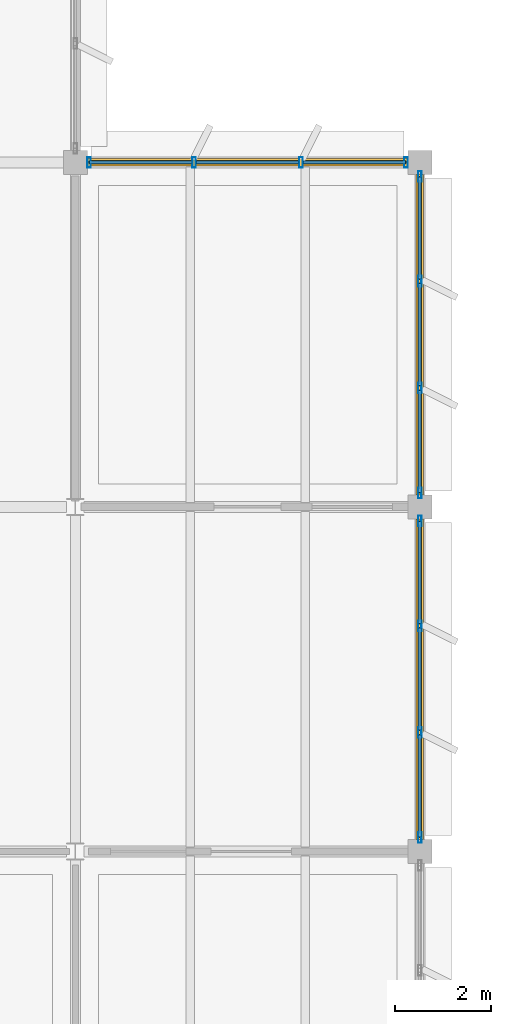
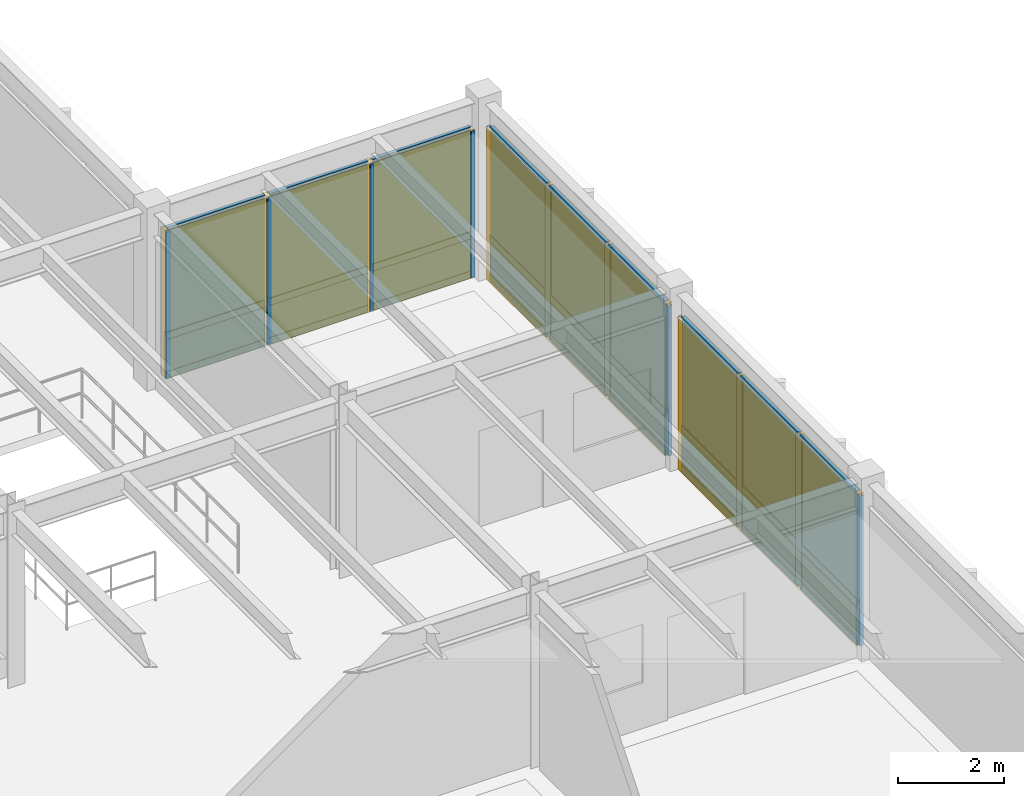
# One storey, part 67 of 85: 39 members, 18 plates, 3 curtain walls.
"""IFC4 building model written with IfcOpenShell, lengths in metres."""

from ifc_helpers import new_model, si_unit, direction, frame, origin, origin_2d, place, context, subcontext, project, spatial, rectangle, hollow_rectangle, extrude, material, layer, layer_set, material_profile, profile_set, type_object, element, aggregate, save


model = new_model("IFC4")

# Units and contexts
model_context = context("Model", 3, precision=1e-05, world=origin(), true_north=direction((0.0, 1.0)))
body_context = subcontext(model_context, "Body", "Model", "MODEL_VIEW")
ifc_project = project(units=[si_unit("LENGTHUNIT", "METRE"), si_unit("AREAUNIT", "SQUARE_METRE"), si_unit("VOLUMEUNIT", "CUBIC_METRE"), si_unit("PLANEANGLEUNIT", "RADIAN"), si_unit("MASSUNIT", "GRAM", prefix="KILO")], contexts=[model_context])

# Member
ifc_material_1 = material(Name="Anodized Aluminium 6063-T6", Category="aluminium")
ifc_material_profile_1 = material_profile(ifc_material_1, hollow_rectangle(XDim=0.074951171875, YDim=0.219970703125, WallThickness=0.0048828125, at=origin_2d()), Name="ALU 75x220x5")
ifc_profile_set_1 = profile_set([ifc_material_profile_1], Name="Anodized Aluminium 6063-T6")
member_type_1 = type_object("IfcMemberType", Name="CWM-75X180", PredefinedType="MULLION", material=ifc_profile_set_1)
site_placement = place(None, origin())
building_placement = place(site_placement, origin())
storey_placement = place(building_placement, frame((0.0, 0.0, 9.89990234375)))
member_1_placement = place(storey_placement, frame((144.0, 50.110107421875, 0.02001953125), z_axis=(0.0, 0.0, 1.0), x_axis=(1.0, 0.0, 0.0)))
member_1 = element("IfcMember", 1, at=member_1_placement, type_object=member_type_1, Name="Curtain wall mullion CW-L03-19-06-E-00", PredefinedType="MULLION", context=body_context, shape_type="SweptSolid", body=[
    extrude(hollow_rectangle(XDim=0.074951171875, YDim=0.219970703125, WallThickness=0.0048828125, at=origin_2d()), origin(), (0.0, 0.0, 1.0), 3.447021484375),
])

member_2_placement = place(storey_placement, frame((144.0, 47.916748046875, 0.02001953125), z_axis=(0.0, 0.0, 1.0), x_axis=(1.0, 0.0, 0.0)))
member_2 = element("IfcMember", 2, at=member_2_placement, type_object=member_type_1, Name="Curtain wall mullion CW-L03-19-06-E-01", PredefinedType="MULLION", context=body_context, shape_type="SweptSolid", body=[
    extrude(hollow_rectangle(XDim=0.074951171875, YDim=0.219970703125, WallThickness=0.0048828125, at=origin_2d()), origin(), (0.0, 0.0, 1.0), 3.447021484375),
])

member_3_placement = place(storey_placement, frame((144.0, 45.683349609375, 0.02001953125), z_axis=(0.0, 0.0, 1.0), x_axis=(1.0, 0.0, 0.0)))
member_3 = element("IfcMember", 3, at=member_3_placement, type_object=member_type_1, Name="Curtain wall mullion CW-L03-19-06-E-02", PredefinedType="MULLION", context=body_context, shape_type="SweptSolid", body=[
    extrude(hollow_rectangle(XDim=0.074951171875, YDim=0.219970703125, WallThickness=0.0048828125, at=origin_2d()), origin(), (0.0, 0.0, 1.0), 3.447021484375),
])

member_4_placement = place(storey_placement, frame((144.0, 43.489990234375, 0.02001953125), z_axis=(0.0, 0.0, 1.0), x_axis=(1.0, 0.0, 0.0)))
member_4 = element("IfcMember", 4, at=member_4_placement, type_object=member_type_1, Name="Curtain wall mullion CW-L03-19-06-E-03", PredefinedType="MULLION", context=body_context, shape_type="SweptSolid", body=[
    extrude(hollow_rectangle(XDim=0.074951171875, YDim=0.219970703125, WallThickness=0.0048828125, at=origin_2d()), origin(), (0.0, 0.0, 1.0), 3.447021484375),
])

member_5_placement = place(storey_placement, frame((137.090087890625, 57.60009765625, 0.02001953125), z_axis=(0.0, 0.0, 1.0), x_axis=(1.0, 0.0, 0.0)))
member_5 = element("IfcMember", 5, at=member_5_placement, type_object=member_type_1, Name="Curtain wall mullion CW-L03-19-07-N-00", PredefinedType="MULLION", context=body_context, shape_type="SweptSolid", body=[
    extrude(hollow_rectangle(XDim=0.074951171875, YDim=0.219970703125, WallThickness=0.0048828125, at=origin_2d()), origin(), (0.0, 0.0, 1.0), 3.3681640625),
])

member_6_placement = place(storey_placement, frame((139.283203125, 57.60009765625, 0.02001953125), z_axis=(0.0, 0.0, 1.0), x_axis=(1.0, 0.0, 0.0)))
member_6 = element("IfcMember", 6, at=member_6_placement, type_object=member_type_1, Name="Curtain wall mullion CW-L03-19-07-N-01", PredefinedType="MULLION", context=body_context, shape_type="SweptSolid", body=[
    extrude(hollow_rectangle(XDim=0.074951171875, YDim=0.219970703125, WallThickness=0.0048828125, at=origin_2d()), origin(), (0.0, 0.0, 1.0), 3.3681640625),
])

member_7_placement = place(storey_placement, frame((141.5166015625, 57.60009765625, 0.02001953125), z_axis=(0.0, 0.0, 1.0), x_axis=(1.0, 0.0, 0.0)))
member_7 = element("IfcMember", 7, at=member_7_placement, type_object=member_type_1, Name="Curtain wall mullion CW-L03-19-07-N-02", PredefinedType="MULLION", context=body_context, shape_type="SweptSolid", body=[
    extrude(hollow_rectangle(XDim=0.074951171875, YDim=0.219970703125, WallThickness=0.0048828125, at=origin_2d()), origin(), (0.0, 0.0, 1.0), 3.3681640625),
])

member_8_placement = place(storey_placement, frame((143.7099609375, 57.60009765625, 0.02001953125), z_axis=(0.0, 0.0, 1.0), x_axis=(1.0, 0.0, 0.0)))
member_8 = element("IfcMember", 8, at=member_8_placement, type_object=member_type_1, Name="Curtain wall mullion CW-L03-19-07-N-03", PredefinedType="MULLION", context=body_context, shape_type="SweptSolid", body=[
    extrude(hollow_rectangle(XDim=0.074951171875, YDim=0.219970703125, WallThickness=0.0048828125, at=origin_2d()), origin(), (0.0, 0.0, 1.0), 3.3681640625),
])

member_9_placement = place(storey_placement, frame((144.0, 57.31005859375, 0.02001953125), z_axis=(0.0, 0.0, 1.0), x_axis=(1.0, 0.0, 0.0)))
member_9 = element("IfcMember", 9, at=member_9_placement, type_object=member_type_1, Name="Curtain wall mullion CW-L03-19-07-E-00", PredefinedType="MULLION", context=body_context, shape_type="SweptSolid", body=[
    extrude(hollow_rectangle(XDim=0.074951171875, YDim=0.219970703125, WallThickness=0.0048828125, at=origin_2d()), origin(), (0.0, 0.0, 1.0), 3.447021484375),
])

member_10_placement = place(storey_placement, frame((144.0, 55.11669921875, 0.02001953125), z_axis=(0.0, 0.0, 1.0), x_axis=(1.0, 0.0, 0.0)))
member_10 = element("IfcMember", 10, at=member_10_placement, type_object=member_type_1, Name="Curtain wall mullion CW-L03-19-07-E-01", PredefinedType="MULLION", context=body_context, shape_type="SweptSolid", body=[
    extrude(hollow_rectangle(XDim=0.074951171875, YDim=0.219970703125, WallThickness=0.0048828125, at=origin_2d()), origin(), (0.0, 0.0, 1.0), 3.447021484375),
])

member_11_placement = place(storey_placement, frame((144.0, 52.88330078125, 0.02001953125), z_axis=(0.0, 0.0, 1.0), x_axis=(1.0, 0.0, 0.0)))
member_11 = element("IfcMember", 11, at=member_11_placement, type_object=member_type_1, Name="Curtain wall mullion CW-L03-19-07-E-02", PredefinedType="MULLION", context=body_context, shape_type="SweptSolid", body=[
    extrude(hollow_rectangle(XDim=0.074951171875, YDim=0.219970703125, WallThickness=0.0048828125, at=origin_2d()), origin(), (0.0, 0.0, 1.0), 3.447021484375),
])

member_12_placement = place(storey_placement, frame((144.0, 50.68994140625, 0.02001953125), z_axis=(0.0, 0.0, 1.0), x_axis=(1.0, 0.0, 0.0)))
member_12 = element("IfcMember", 12, at=member_12_placement, type_object=member_type_1, Name="Curtain wall mullion CW-L03-19-07-E-03", PredefinedType="MULLION", context=body_context, shape_type="SweptSolid", body=[
    extrude(hollow_rectangle(XDim=0.074951171875, YDim=0.219970703125, WallThickness=0.0048828125, at=origin_2d()), origin(), (0.0, 0.0, 1.0), 3.447021484375),
])

ifc_material_profile_2 = material_profile(ifc_material_1, hollow_rectangle(XDim=0.074951171875, YDim=0.159912109375, WallThickness=0.00390625, at=origin_2d()), Name="ALU 75x160x4")
ifc_profile_set_2 = profile_set([ifc_material_profile_2], Name="Anodized Aluminium 6063-T6")
member_type_2 = type_object("IfcMemberType", Name="CWT-75X150", PredefinedType="USERDEFINED", material=ifc_profile_set_2)
member_13_placement = place(storey_placement, frame((144.0, 50.10009765625, 0.050048828125), z_axis=(0.0, -1.0, 0.0), x_axis=(1.0, 0.0, 0.0)))
member_13 = element("IfcMember", 13, at=member_13_placement, type_object=member_type_2, Name="Curtain wall transom CW-L03-19-06-E-1.01", ObjectType="TRANSOM", PredefinedType="USERDEFINED", context=body_context, shape_type="SweptSolid", body=[
    extrude(hollow_rectangle(XDim=0.074951171875, YDim=0.159912109375, WallThickness=0.00390625, at=origin_2d()), origin(), (0.0, 0.0, 1.0), 2.13330078125),
])

member_14_placement = place(storey_placement, frame((144.0, 47.86669921875, 0.050048828125), z_axis=(0.0, -1.0, 0.0), x_axis=(1.0, 0.0, 0.0)))
member_14 = element("IfcMember", 14, at=member_14_placement, type_object=member_type_2, Name="Curtain wall transom CW-L03-19-06-E-1.02", ObjectType="TRANSOM", PredefinedType="USERDEFINED", context=body_context, shape_type="SweptSolid", body=[
    extrude(hollow_rectangle(XDim=0.074951171875, YDim=0.159912109375, WallThickness=0.00390625, at=origin_2d()), origin(), (0.0, 0.0, 1.0), 2.13330078125),
])

member_15_placement = place(storey_placement, frame((144.0, 45.63330078125, 0.050048828125), z_axis=(0.0, -1.0, 0.0), x_axis=(1.0, 0.0, 0.0)))
member_15 = element("IfcMember", 15, at=member_15_placement, type_object=member_type_2, Name="Curtain wall transom CW-L03-19-06-E-1.03", ObjectType="TRANSOM", PredefinedType="USERDEFINED", context=body_context, shape_type="SweptSolid", body=[
    extrude(hollow_rectangle(XDim=0.074951171875, YDim=0.159912109375, WallThickness=0.00390625, at=origin_2d()), origin(), (0.0, 0.0, 1.0), 2.13330078125),
])

member_16_placement = place(storey_placement, frame((144.0, 50.10009765625, 0.9501953125), z_axis=(0.0, -1.0, 0.0), x_axis=(1.0, 0.0, 0.0)))
member_16 = element("IfcMember", 16, at=member_16_placement, type_object=member_type_2, Name="Curtain wall transom CW-L03-19-06-E-2.01", ObjectType="TRANSOM", PredefinedType="USERDEFINED", context=body_context, shape_type="SweptSolid", body=[
    extrude(hollow_rectangle(XDim=0.074951171875, YDim=0.159912109375, WallThickness=0.00390625, at=origin_2d()), origin(), (0.0, 0.0, 1.0), 2.13330078125),
])

member_17_placement = place(storey_placement, frame((144.0, 47.86669921875, 0.9501953125), z_axis=(0.0, -1.0, 0.0), x_axis=(1.0, 0.0, 0.0)))
member_17 = element("IfcMember", 17, at=member_17_placement, type_object=member_type_2, Name="Curtain wall transom CW-L03-19-06-E-2.02", ObjectType="TRANSOM", PredefinedType="USERDEFINED", context=body_context, shape_type="SweptSolid", body=[
    extrude(hollow_rectangle(XDim=0.074951171875, YDim=0.159912109375, WallThickness=0.00390625, at=origin_2d()), origin(), (0.0, 0.0, 1.0), 2.13330078125),
])

member_18_placement = place(storey_placement, frame((144.0, 45.63330078125, 0.9501953125), z_axis=(0.0, -1.0, 0.0), x_axis=(1.0, 0.0, 0.0)))
member_18 = element("IfcMember", 18, at=member_18_placement, type_object=member_type_2, Name="Curtain wall transom CW-L03-19-06-E-2.03", ObjectType="TRANSOM", PredefinedType="USERDEFINED", context=body_context, shape_type="SweptSolid", body=[
    extrude(hollow_rectangle(XDim=0.074951171875, YDim=0.159912109375, WallThickness=0.00390625, at=origin_2d()), origin(), (0.0, 0.0, 1.0), 2.13330078125),
])

member_19_placement = place(storey_placement, frame((144.0, 50.10009765625, 3.43701171875), z_axis=(0.0, -1.0, 0.0), x_axis=(1.0, 0.0, 0.0)))
member_19 = element("IfcMember", 19, at=member_19_placement, type_object=member_type_2, Name="Curtain wall transom CW-L03-19-06-E-3.01", ObjectType="TRANSOM", PredefinedType="USERDEFINED", context=body_context, shape_type="SweptSolid", body=[
    extrude(hollow_rectangle(XDim=0.074951171875, YDim=0.159912109375, WallThickness=0.00390625, at=origin_2d()), origin(), (0.0, 0.0, 1.0), 2.13330078125),
])

member_20_placement = place(storey_placement, frame((144.0, 47.86669921875, 3.43701171875), z_axis=(0.0, -1.0, 0.0), x_axis=(1.0, 0.0, 0.0)))
member_20 = element("IfcMember", 20, at=member_20_placement, type_object=member_type_2, Name="Curtain wall transom CW-L03-19-06-E-3.02", ObjectType="TRANSOM", PredefinedType="USERDEFINED", context=body_context, shape_type="SweptSolid", body=[
    extrude(hollow_rectangle(XDim=0.074951171875, YDim=0.159912109375, WallThickness=0.00390625, at=origin_2d()), origin(), (0.0, 0.0, 1.0), 2.13330078125),
])

member_21_placement = place(storey_placement, frame((144.0, 45.63330078125, 3.43701171875), z_axis=(0.0, -1.0, 0.0), x_axis=(1.0, 0.0, 0.0)))
member_21 = element("IfcMember", 21, at=member_21_placement, type_object=member_type_2, Name="Curtain wall transom CW-L03-19-06-E-3.03", ObjectType="TRANSOM", PredefinedType="USERDEFINED", context=body_context, shape_type="SweptSolid", body=[
    extrude(hollow_rectangle(XDim=0.074951171875, YDim=0.159912109375, WallThickness=0.00390625, at=origin_2d()), origin(), (0.0, 0.0, 1.0), 2.13330078125),
])

member_22_placement = place(storey_placement, frame((137.10009765625, 57.60009765625, 0.050048828125), z_axis=(1.0, 0.0, 0.0), x_axis=(0.0, 1.0, 0.0)))
member_22 = element("IfcMember", 22, at=member_22_placement, type_object=member_type_2, Name="Curtain wall transom CW-L03-19-07-N-1.01", ObjectType="TRANSOM", PredefinedType="USERDEFINED", context=body_context, shape_type="SweptSolid", body=[
    extrude(hollow_rectangle(XDim=0.074951171875, YDim=0.159912109375, WallThickness=0.00390625, at=origin_2d()), origin(), (0.0, 0.0, 1.0), 2.13330078125),
])

member_23_placement = place(storey_placement, frame((139.333251953125, 57.60009765625, 0.050048828125), z_axis=(1.0, 0.0, 0.0), x_axis=(0.0, 1.0, 0.0)))
member_23 = element("IfcMember", 23, at=member_23_placement, type_object=member_type_2, Name="Curtain wall transom CW-L03-19-07-N-1.02", ObjectType="TRANSOM", PredefinedType="USERDEFINED", context=body_context, shape_type="SweptSolid", body=[
    extrude(hollow_rectangle(XDim=0.074951171875, YDim=0.159912109375, WallThickness=0.00390625, at=origin_2d()), origin(), (0.0, 0.0, 1.0), 2.133544921875),
])

member_24_placement = place(storey_placement, frame((141.566650390625, 57.60009765625, 0.050048828125), z_axis=(1.0, 0.0, 0.0), x_axis=(0.0, 1.0, 0.0)))
member_24 = element("IfcMember", 24, at=member_24_placement, type_object=member_type_2, Name="Curtain wall transom CW-L03-19-07-N-1.03", ObjectType="TRANSOM", PredefinedType="USERDEFINED", context=body_context, shape_type="SweptSolid", body=[
    extrude(hollow_rectangle(XDim=0.074951171875, YDim=0.159912109375, WallThickness=0.00390625, at=origin_2d()), origin(), (0.0, 0.0, 1.0), 2.13330078125),
])

member_25_placement = place(storey_placement, frame((137.10009765625, 57.60009765625, 0.9501953125), z_axis=(1.0, 0.0, 0.0), x_axis=(0.0, 1.0, 0.0)))
member_25 = element("IfcMember", 25, at=member_25_placement, type_object=member_type_2, Name="Curtain wall transom CW-L03-19-07-N-2.01", ObjectType="TRANSOM", PredefinedType="USERDEFINED", context=body_context, shape_type="SweptSolid", body=[
    extrude(hollow_rectangle(XDim=0.074951171875, YDim=0.159912109375, WallThickness=0.00390625, at=origin_2d()), origin(), (0.0, 0.0, 1.0), 2.13330078125),
])

member_26_placement = place(storey_placement, frame((139.333251953125, 57.60009765625, 0.9501953125), z_axis=(1.0, 0.0, 0.0), x_axis=(0.0, 1.0, 0.0)))
member_26 = element("IfcMember", 26, at=member_26_placement, type_object=member_type_2, Name="Curtain wall transom CW-L03-19-07-N-2.02", ObjectType="TRANSOM", PredefinedType="USERDEFINED", context=body_context, shape_type="SweptSolid", body=[
    extrude(hollow_rectangle(XDim=0.074951171875, YDim=0.159912109375, WallThickness=0.00390625, at=origin_2d()), origin(), (0.0, 0.0, 1.0), 2.133544921875),
])

member_27_placement = place(storey_placement, frame((141.566650390625, 57.60009765625, 0.9501953125), z_axis=(1.0, 0.0, 0.0), x_axis=(0.0, 1.0, 0.0)))
member_27 = element("IfcMember", 27, at=member_27_placement, type_object=member_type_2, Name="Curtain wall transom CW-L03-19-07-N-2.03", ObjectType="TRANSOM", PredefinedType="USERDEFINED", context=body_context, shape_type="SweptSolid", body=[
    extrude(hollow_rectangle(XDim=0.074951171875, YDim=0.159912109375, WallThickness=0.00390625, at=origin_2d()), origin(), (0.0, 0.0, 1.0), 2.13330078125),
])

member_28_placement = place(storey_placement, frame((137.10009765625, 57.60009765625, 3.358154296875), z_axis=(1.0, 0.0, 0.0), x_axis=(0.0, 1.0, 0.0)))
member_28 = element("IfcMember", 28, at=member_28_placement, type_object=member_type_2, Name="Curtain wall transom CW-L03-19-07-N-3.01", ObjectType="TRANSOM", PredefinedType="USERDEFINED", context=body_context, shape_type="SweptSolid", body=[
    extrude(hollow_rectangle(XDim=0.074951171875, YDim=0.159912109375, WallThickness=0.00390625, at=origin_2d()), origin(), (0.0, 0.0, 1.0), 2.13330078125),
])

member_29_placement = place(storey_placement, frame((139.333251953125, 57.60009765625, 3.358154296875), z_axis=(1.0, 0.0, 0.0), x_axis=(0.0, 1.0, 0.0)))
member_29 = element("IfcMember", 29, at=member_29_placement, type_object=member_type_2, Name="Curtain wall transom CW-L03-19-07-N-3.02", ObjectType="TRANSOM", PredefinedType="USERDEFINED", context=body_context, shape_type="SweptSolid", body=[
    extrude(hollow_rectangle(XDim=0.074951171875, YDim=0.159912109375, WallThickness=0.00390625, at=origin_2d()), origin(), (0.0, 0.0, 1.0), 2.133544921875),
])

member_30_placement = place(storey_placement, frame((141.566650390625, 57.60009765625, 3.358154296875), z_axis=(1.0, 0.0, 0.0), x_axis=(0.0, 1.0, 0.0)))
member_30 = element("IfcMember", 30, at=member_30_placement, type_object=member_type_2, Name="Curtain wall transom CW-L03-19-07-N-3.03", ObjectType="TRANSOM", PredefinedType="USERDEFINED", context=body_context, shape_type="SweptSolid", body=[
    extrude(hollow_rectangle(XDim=0.074951171875, YDim=0.159912109375, WallThickness=0.00390625, at=origin_2d()), origin(), (0.0, 0.0, 1.0), 2.13330078125),
])

member_31_placement = place(storey_placement, frame((144.0, 57.300048828125, 0.050048828125), z_axis=(0.0, -1.0, 0.0), x_axis=(1.0, 0.0, 0.0)))
member_31 = element("IfcMember", 31, at=member_31_placement, type_object=member_type_2, Name="Curtain wall transom CW-L03-19-07-E-1.01", ObjectType="TRANSOM", PredefinedType="USERDEFINED", context=body_context, shape_type="SweptSolid", body=[
    extrude(hollow_rectangle(XDim=0.074951171875, YDim=0.159912109375, WallThickness=0.00390625, at=origin_2d()), origin(), (0.0, 0.0, 1.0), 2.13330078125),
])

member_32_placement = place(storey_placement, frame((144.0, 55.066650390625, 0.050048828125), z_axis=(0.0, -1.0, 0.0), x_axis=(1.0, 0.0, 0.0)))
member_32 = element("IfcMember", 32, at=member_32_placement, type_object=member_type_2, Name="Curtain wall transom CW-L03-19-07-E-1.02", ObjectType="TRANSOM", PredefinedType="USERDEFINED", context=body_context, shape_type="SweptSolid", body=[
    extrude(hollow_rectangle(XDim=0.074951171875, YDim=0.159912109375, WallThickness=0.00390625, at=origin_2d()), origin(), (0.0, 0.0, 1.0), 2.13330078125),
])

member_33_placement = place(storey_placement, frame((144.0, 52.833251953125, 0.050048828125), z_axis=(0.0, -1.0, 0.0), x_axis=(1.0, 0.0, 0.0)))
member_33 = element("IfcMember", 33, at=member_33_placement, type_object=member_type_2, Name="Curtain wall transom CW-L03-19-07-E-1.03", ObjectType="TRANSOM", PredefinedType="USERDEFINED", context=body_context, shape_type="SweptSolid", body=[
    extrude(hollow_rectangle(XDim=0.074951171875, YDim=0.159912109375, WallThickness=0.00390625, at=origin_2d()), origin(), (0.0, 0.0, 1.0), 2.13330078125),
])

member_34_placement = place(storey_placement, frame((144.0, 57.300048828125, 0.9501953125), z_axis=(0.0, -1.0, 0.0), x_axis=(1.0, 0.0, 0.0)))
member_34 = element("IfcMember", 34, at=member_34_placement, type_object=member_type_2, Name="Curtain wall transom CW-L03-19-07-E-2.01", ObjectType="TRANSOM", PredefinedType="USERDEFINED", context=body_context, shape_type="SweptSolid", body=[
    extrude(hollow_rectangle(XDim=0.074951171875, YDim=0.159912109375, WallThickness=0.00390625, at=origin_2d()), origin(), (0.0, 0.0, 1.0), 2.13330078125),
])

member_35_placement = place(storey_placement, frame((144.0, 55.066650390625, 0.9501953125), z_axis=(0.0, -1.0, 0.0), x_axis=(1.0, 0.0, 0.0)))
member_35 = element("IfcMember", 35, at=member_35_placement, type_object=member_type_2, Name="Curtain wall transom CW-L03-19-07-E-2.02", ObjectType="TRANSOM", PredefinedType="USERDEFINED", context=body_context, shape_type="SweptSolid", body=[
    extrude(hollow_rectangle(XDim=0.074951171875, YDim=0.159912109375, WallThickness=0.00390625, at=origin_2d()), origin(), (0.0, 0.0, 1.0), 2.13330078125),
])

member_36_placement = place(storey_placement, frame((144.0, 52.833251953125, 0.9501953125), z_axis=(0.0, -1.0, 0.0), x_axis=(1.0, 0.0, 0.0)))
member_36 = element("IfcMember", 36, at=member_36_placement, type_object=member_type_2, Name="Curtain wall transom CW-L03-19-07-E-2.03", ObjectType="TRANSOM", PredefinedType="USERDEFINED", context=body_context, shape_type="SweptSolid", body=[
    extrude(hollow_rectangle(XDim=0.074951171875, YDim=0.159912109375, WallThickness=0.00390625, at=origin_2d()), origin(), (0.0, 0.0, 1.0), 2.13330078125),
])

member_37_placement = place(storey_placement, frame((144.0, 57.300048828125, 3.43701171875), z_axis=(0.0, -1.0, 0.0), x_axis=(1.0, 0.0, 0.0)))
member_37 = element("IfcMember", 37, at=member_37_placement, type_object=member_type_2, Name="Curtain wall transom CW-L03-19-07-E-3.01", ObjectType="TRANSOM", PredefinedType="USERDEFINED", context=body_context, shape_type="SweptSolid", body=[
    extrude(hollow_rectangle(XDim=0.074951171875, YDim=0.159912109375, WallThickness=0.00390625, at=origin_2d()), origin(), (0.0, 0.0, 1.0), 2.13330078125),
])

member_38_placement = place(storey_placement, frame((144.0, 55.066650390625, 3.43701171875), z_axis=(0.0, -1.0, 0.0), x_axis=(1.0, 0.0, 0.0)))
member_38 = element("IfcMember", 38, at=member_38_placement, type_object=member_type_2, Name="Curtain wall transom CW-L03-19-07-E-3.02", ObjectType="TRANSOM", PredefinedType="USERDEFINED", context=body_context, shape_type="SweptSolid", body=[
    extrude(hollow_rectangle(XDim=0.074951171875, YDim=0.159912109375, WallThickness=0.00390625, at=origin_2d()), origin(), (0.0, 0.0, 1.0), 2.13330078125),
])

member_39_placement = place(storey_placement, frame((144.0, 52.833251953125, 3.43701171875), z_axis=(0.0, -1.0, 0.0), x_axis=(1.0, 0.0, 0.0)))
member_39 = element("IfcMember", 39, at=member_39_placement, type_object=member_type_2, Name="Curtain wall transom CW-L03-19-07-E-3.03", ObjectType="TRANSOM", PredefinedType="USERDEFINED", context=body_context, shape_type="SweptSolid", body=[
    extrude(hollow_rectangle(XDim=0.074951171875, YDim=0.159912109375, WallThickness=0.00390625, at=origin_2d()), origin(), (0.0, 0.0, 1.0), 2.13330078125),
])

# Plate
ifc_material_2 = material(Name="Acoustic Laminated Low-E Glazing", Category="glass")
ifc_layer_1 = layer(ifc_material_2, 0.0439453125)
ifc_layer_set_1 = layer_set([ifc_layer_1], Name="Acoustic Laminated Low-E Glazing")
plate_type_1 = type_object("IfcPlateType", Name="CWP-IGU-44", PredefinedType="CURTAIN_PANEL", material=ifc_layer_set_1)
plate_1_placement = place(storey_placement, frame((144.0, 49.033203125, 0.989990234375), z_axis=(0.0, 0.0, 1.0), x_axis=(0.0, -1.0, 0.0)))
plate_1 = element("IfcPlate", 40, at=plate_1_placement, type_object=plate_type_1, Name="Curtain wall vision glazing CW-L03-19-06-E-01", PredefinedType="CURTAIN_PANEL", context=body_context, shape_type="SweptSolid", body=[
    extrude(rectangle(XDim=2.143310546875, YDim=0.0400390625, at=origin_2d()), origin(), (0.0, 0.0, 1.0), 2.43701171875),
])

plate_2_placement = place(storey_placement, frame((144.0, 46.800048828125, 0.989990234375), z_axis=(0.0, 0.0, 1.0), x_axis=(0.0, -1.0, 0.0)))
plate_2 = element("IfcPlate", 41, at=plate_2_placement, type_object=plate_type_1, Name="Curtain wall vision glazing CW-L03-19-06-E-02", PredefinedType="CURTAIN_PANEL", context=body_context, shape_type="SweptSolid", body=[
    extrude(rectangle(XDim=2.143310546875, YDim=0.0400390625, at=origin_2d()), origin(), (0.0, 0.0, 1.0), 2.43701171875),
])

plate_3_placement = place(storey_placement, frame((144.0, 44.566650390625, 0.989990234375), z_axis=(0.0, 0.0, 1.0), x_axis=(0.0, -1.0, 0.0)))
plate_3 = element("IfcPlate", 42, at=plate_3_placement, type_object=plate_type_1, Name="Curtain wall vision glazing CW-L03-19-06-E-03", PredefinedType="CURTAIN_PANEL", context=body_context, shape_type="SweptSolid", body=[
    extrude(rectangle(XDim=2.143310546875, YDim=0.0400390625, at=origin_2d()), origin(), (0.0, 0.0, 1.0), 2.43701171875),
])

plate_4_placement = place(storey_placement, frame((138.166748046875, 57.60009765625, 0.990234375), z_axis=(0.0, 0.0, 1.0), x_axis=(1.0, 0.0, 0.0)))
plate_4 = element("IfcPlate", 43, at=plate_4_placement, type_object=plate_type_1, Name="Curtain wall vision glazing CW-L03-19-07-N-01", PredefinedType="CURTAIN_PANEL", context=body_context, shape_type="SweptSolid", body=[
    extrude(rectangle(XDim=2.143310546875, YDim=0.0400390625, at=origin_2d()), origin(), (0.0, 0.0, 1.0), 2.35791015625),
])

plate_5_placement = place(storey_placement, frame((140.39990234375, 57.60009765625, 0.990234375), z_axis=(0.0, 0.0, 1.0), x_axis=(1.0, 0.0, 0.0)))
plate_5 = element("IfcPlate", 44, at=plate_5_placement, type_object=plate_type_1, Name="Curtain wall vision glazing CW-L03-19-07-N-02", PredefinedType="CURTAIN_PANEL", context=body_context, shape_type="SweptSolid", body=[
    extrude(rectangle(XDim=2.143310546875, YDim=0.0400390625, at=origin_2d()), origin(), (0.0, 0.0, 1.0), 2.35791015625),
])

plate_6_placement = place(storey_placement, frame((142.63330078125, 57.60009765625, 0.990234375), z_axis=(0.0, 0.0, 1.0), x_axis=(1.0, 0.0, 0.0)))
plate_6 = element("IfcPlate", 45, at=plate_6_placement, type_object=plate_type_1, Name="Curtain wall vision glazing CW-L03-19-07-N-03", PredefinedType="CURTAIN_PANEL", context=body_context, shape_type="SweptSolid", body=[
    extrude(rectangle(XDim=2.143310546875, YDim=0.0400390625, at=origin_2d()), origin(), (0.0, 0.0, 1.0), 2.35791015625),
])

plate_7_placement = place(storey_placement, frame((144.0, 56.2333984375, 0.989990234375), z_axis=(0.0, 0.0, 1.0), x_axis=(0.0, -1.0, 0.0)))
plate_7 = element("IfcPlate", 46, at=plate_7_placement, type_object=plate_type_1, Name="Curtain wall vision glazing CW-L03-19-07-E-01", PredefinedType="CURTAIN_PANEL", context=body_context, shape_type="SweptSolid", body=[
    extrude(rectangle(XDim=2.143310546875, YDim=0.0400390625, at=origin_2d()), origin(), (0.0, 0.0, 1.0), 2.43701171875),
])

plate_8_placement = place(storey_placement, frame((144.0, 54.0, 0.989990234375), z_axis=(0.0, 0.0, 1.0), x_axis=(0.0, -1.0, 0.0)))
plate_8 = element("IfcPlate", 47, at=plate_8_placement, type_object=plate_type_1, Name="Curtain wall vision glazing CW-L03-19-07-E-02", PredefinedType="CURTAIN_PANEL", context=body_context, shape_type="SweptSolid", body=[
    extrude(rectangle(XDim=2.143310546875, YDim=0.0400390625, at=origin_2d()), origin(), (0.0, 0.0, 1.0), 2.43701171875),
])

plate_9_placement = place(storey_placement, frame((144.0, 51.7666015625, 0.989990234375), z_axis=(0.0, 0.0, 1.0), x_axis=(0.0, -1.0, 0.0)))
plate_9 = element("IfcPlate", 48, at=plate_9_placement, type_object=plate_type_1, Name="Curtain wall vision glazing CW-L03-19-07-E-03", PredefinedType="CURTAIN_PANEL", context=body_context, shape_type="SweptSolid", body=[
    extrude(rectangle(XDim=2.143310546875, YDim=0.0400390625, at=origin_2d()), origin(), (0.0, 0.0, 1.0), 2.43701171875),
])

ifc_material_3 = material(Name="Insulated Stone-Composite Spandrel", Category="masonry")
ifc_layer_2 = layer(ifc_material_3, 0.068115234375)
ifc_layer_set_2 = layer_set([ifc_layer_2], Name="Insulated Stone-Composite Spandrel")
plate_type_2 = type_object("IfcPlateType", Name="CWP-SPN-68", PredefinedType="CURTAIN_PANEL", material=ifc_layer_set_2)
plate_10_placement = place(storey_placement, frame((144.0, 49.033203125, 0.080078125), z_axis=(0.0, 0.0, 1.0), x_axis=(0.0, -1.0, 0.0)))
plate_10 = element("IfcPlate", 49, at=plate_10_placement, type_object=plate_type_2, Name="Curtain wall spandrel panel CW-L03-19-06-E-01", PredefinedType="CURTAIN_PANEL", context=body_context, shape_type="SweptSolid", body=[
    extrude(rectangle(XDim=2.143310546875, YDim=0.06005859375, at=origin_2d()), origin(), (0.0, 0.0, 1.0), 0.840087890625),
])

plate_11_placement = place(storey_placement, frame((144.0, 46.800048828125, 0.080078125), z_axis=(0.0, 0.0, 1.0), x_axis=(0.0, -1.0, 0.0)))
plate_11 = element("IfcPlate", 50, at=plate_11_placement, type_object=plate_type_2, Name="Curtain wall spandrel panel CW-L03-19-06-E-02", PredefinedType="CURTAIN_PANEL", context=body_context, shape_type="SweptSolid", body=[
    extrude(rectangle(XDim=2.143310546875, YDim=0.06005859375, at=origin_2d()), origin(), (0.0, 0.0, 1.0), 0.840087890625),
])

plate_12_placement = place(storey_placement, frame((144.0, 44.566650390625, 0.080078125), z_axis=(0.0, 0.0, 1.0), x_axis=(0.0, -1.0, 0.0)))
plate_12 = element("IfcPlate", 51, at=plate_12_placement, type_object=plate_type_2, Name="Curtain wall spandrel panel CW-L03-19-06-E-03", PredefinedType="CURTAIN_PANEL", context=body_context, shape_type="SweptSolid", body=[
    extrude(rectangle(XDim=2.143310546875, YDim=0.06005859375, at=origin_2d()), origin(), (0.0, 0.0, 1.0), 0.840087890625),
])

plate_13_placement = place(storey_placement, frame((138.166748046875, 57.60009765625, 0.080078125), z_axis=(0.0, 0.0, 1.0), x_axis=(1.0, 0.0, 0.0)))
plate_13 = element("IfcPlate", 52, at=plate_13_placement, type_object=plate_type_2, Name="Curtain wall spandrel panel CW-L03-19-07-N-01", PredefinedType="CURTAIN_PANEL", context=body_context, shape_type="SweptSolid", body=[
    extrude(rectangle(XDim=2.143310546875, YDim=0.06005859375, at=origin_2d()), origin(), (0.0, 0.0, 1.0), 0.840087890625),
])

plate_14_placement = place(storey_placement, frame((140.39990234375, 57.60009765625, 0.080078125), z_axis=(0.0, 0.0, 1.0), x_axis=(1.0, 0.0, 0.0)))
plate_14 = element("IfcPlate", 53, at=plate_14_placement, type_object=plate_type_2, Name="Curtain wall spandrel panel CW-L03-19-07-N-02", PredefinedType="CURTAIN_PANEL", context=body_context, shape_type="SweptSolid", body=[
    extrude(rectangle(XDim=2.143310546875, YDim=0.06005859375, at=origin_2d()), origin(), (0.0, 0.0, 1.0), 0.840087890625),
])

plate_15_placement = place(storey_placement, frame((142.63330078125, 57.60009765625, 0.080078125), z_axis=(0.0, 0.0, 1.0), x_axis=(1.0, 0.0, 0.0)))
plate_15 = element("IfcPlate", 54, at=plate_15_placement, type_object=plate_type_2, Name="Curtain wall spandrel panel CW-L03-19-07-N-03", PredefinedType="CURTAIN_PANEL", context=body_context, shape_type="SweptSolid", body=[
    extrude(rectangle(XDim=2.143310546875, YDim=0.06005859375, at=origin_2d()), origin(), (0.0, 0.0, 1.0), 0.840087890625),
])

plate_16_placement = place(storey_placement, frame((144.0, 56.2333984375, 0.080078125), z_axis=(0.0, 0.0, 1.0), x_axis=(0.0, -1.0, 0.0)))
plate_16 = element("IfcPlate", 55, at=plate_16_placement, type_object=plate_type_2, Name="Curtain wall spandrel panel CW-L03-19-07-E-01", PredefinedType="CURTAIN_PANEL", context=body_context, shape_type="SweptSolid", body=[
    extrude(rectangle(XDim=2.143310546875, YDim=0.06005859375, at=origin_2d()), origin(), (0.0, 0.0, 1.0), 0.840087890625),
])

plate_17_placement = place(storey_placement, frame((144.0, 54.0, 0.080078125), z_axis=(0.0, 0.0, 1.0), x_axis=(0.0, -1.0, 0.0)))
plate_17 = element("IfcPlate", 56, at=plate_17_placement, type_object=plate_type_2, Name="Curtain wall spandrel panel CW-L03-19-07-E-02", PredefinedType="CURTAIN_PANEL", context=body_context, shape_type="SweptSolid", body=[
    extrude(rectangle(XDim=2.143310546875, YDim=0.06005859375, at=origin_2d()), origin(), (0.0, 0.0, 1.0), 0.840087890625),
])

plate_18_placement = place(storey_placement, frame((144.0, 51.7666015625, 0.080078125), z_axis=(0.0, 0.0, 1.0), x_axis=(0.0, -1.0, 0.0)))
plate_18 = element("IfcPlate", 57, at=plate_18_placement, type_object=plate_type_2, Name="Curtain wall spandrel panel CW-L03-19-07-E-03", PredefinedType="CURTAIN_PANEL", context=body_context, shape_type="SweptSolid", body=[
    extrude(rectangle(XDim=2.143310546875, YDim=0.06005859375, at=origin_2d()), origin(), (0.0, 0.0, 1.0), 0.840087890625),
])

# Site, building, storey
site = spatial("IfcSite", under=ifc_project, at=site_placement, CompositionType="ELEMENT")
building = spatial("IfcBuilding", under=site, at=building_placement, Name="Sillqori Civic Hall", CompositionType="ELEMENT")
storey = spatial("IfcBuildingStorey", under=building, at=storey_placement, Name="L03", CompositionType="ELEMENT", Elevation=9.89990234375)

# Curtain wall
ifc_material_4 = material(Name="Anodized Aluminium Curtain Wall System", Category="aluminium")
curtain_wall_type = type_object("IfcCurtainWallType", Name="CW-GL-400", PredefinedType="NOTDEFINED", material=ifc_material_4)
curtain_wall_1_placement = place(storey_placement, frame((144.0, 46.800048828125, 0.0), z_axis=(0.0, 0.0, 1.0), x_axis=(0.0, -1.0, 0.0)))
curtain_wall_1 = element("IfcCurtainWall", 58, at=curtain_wall_1_placement, inside=storey, type_object=curtain_wall_type, Name="L03 unitised curtain wall CW-L03-19-06-E", PredefinedType="NOTDEFINED", context=body_context, shape_type="SweptSolid", body=[
    extrude(rectangle(XDim=6.699951171875, YDim=0.159912109375, at=origin_2d()), origin(), (0.0, 0.0, 1.0), 3.487060546875),
])

aggregate(curtain_wall_1, [member_1, member_2, member_3, member_4, member_13, member_14, member_15, member_16, member_17, member_18, member_19, member_20, member_21, plate_10, plate_1, plate_11, plate_2, plate_12, plate_3])

curtain_wall_2_placement = place(storey_placement, frame((140.39990234375, 57.60009765625, 0.0), z_axis=(0.0, 0.0, 1.0), x_axis=(1.0, 0.0, 0.0)))
curtain_wall_2 = element("IfcCurtainWall", 59, at=curtain_wall_2_placement, inside=storey, type_object=curtain_wall_type, Name="L03 unitised curtain wall CW-L03-19-07-N", PredefinedType="NOTDEFINED", context=body_context, shape_type="SweptSolid", body=[
    extrude(rectangle(XDim=6.699951171875, YDim=0.159912109375, at=origin_2d()), origin(), (0.0, 0.0, 1.0), 3.407958984375),
])

aggregate(curtain_wall_2, [member_5, member_6, member_7, member_8, member_22, member_23, member_24, member_25, member_26, member_27, member_28, member_29, member_30, plate_13, plate_4, plate_14, plate_5, plate_15, plate_6])

curtain_wall_3_placement = place(storey_placement, frame((144.0, 54.0, 0.0), z_axis=(0.0, 0.0, 1.0), x_axis=(0.0, -1.0, 0.0)))
curtain_wall_3 = element("IfcCurtainWall", 60, at=curtain_wall_3_placement, inside=storey, type_object=curtain_wall_type, Name="L03 unitised curtain wall CW-L03-19-07-E", PredefinedType="NOTDEFINED", context=body_context, shape_type="SweptSolid", body=[
    extrude(rectangle(XDim=6.699951171875, YDim=0.159912109375, at=origin_2d()), origin(), (0.0, 0.0, 1.0), 3.487060546875),
])

aggregate(curtain_wall_3, [member_9, member_10, member_11, member_12, member_31, member_32, member_33, member_34, member_35, member_36, member_37, member_38, member_39, plate_16, plate_7, plate_17, plate_8, plate_18, plate_9])

save(model, "model.ifc")
